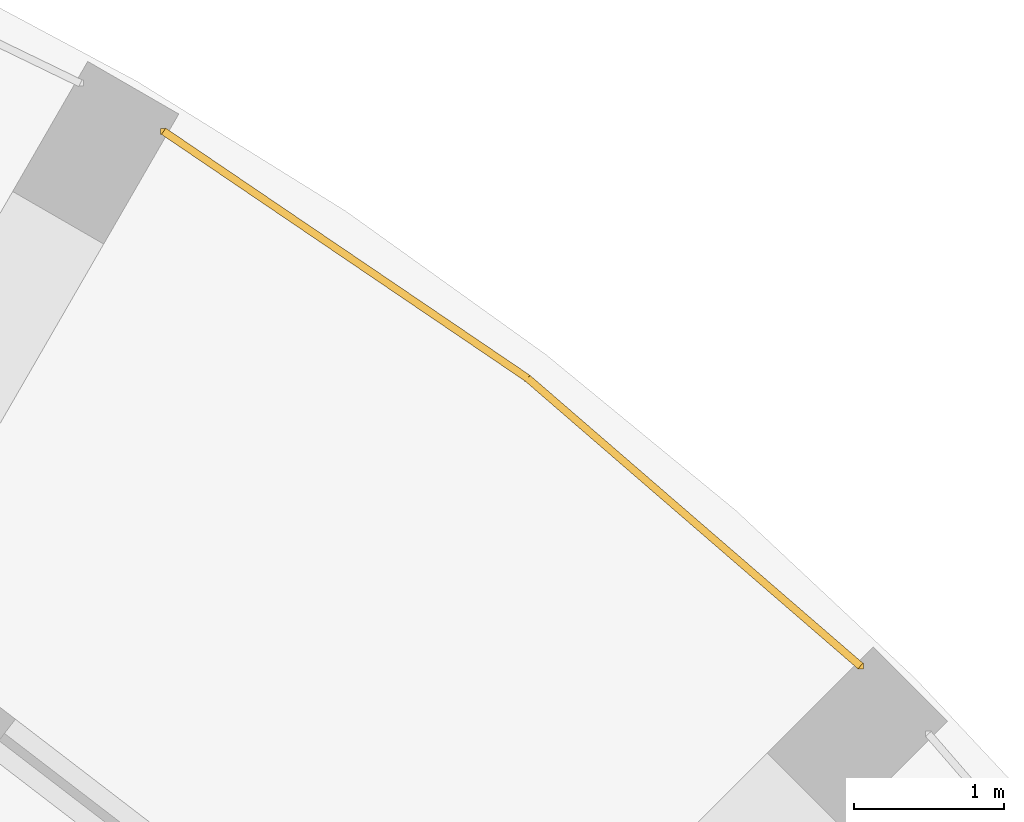
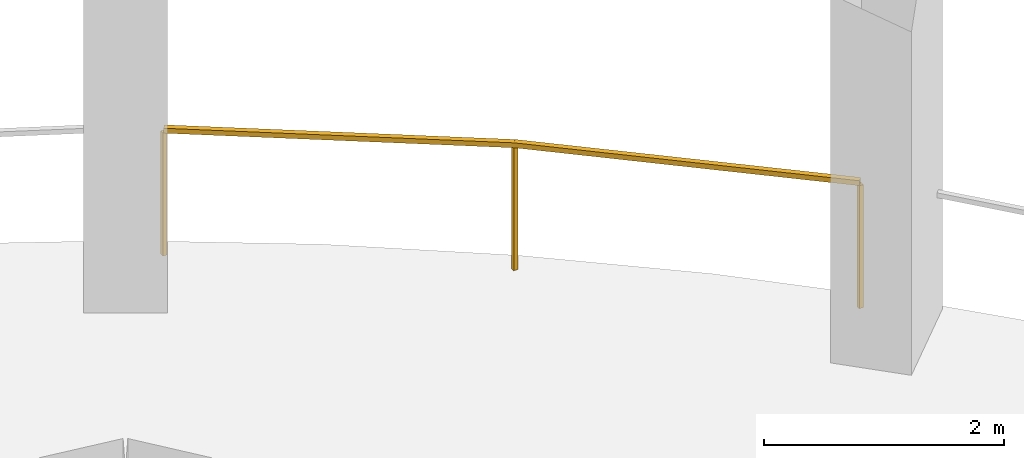
# One storey, part 8 of 8: 1 railing.
"""IFC4 building model written with IfcOpenShell, lengths in metres."""

from ifc_helpers import new_model, si_unit, direction, frame, origin, origin_2d, place, context, subcontext, project, spatial, rectangle, extrude, material, type_object, element, save


model = new_model("IFC4")

# Units and contexts
model_context = context("Model", 3, precision=1e-05, world=origin(), true_north=direction((0.0, 1.0)))
body_context = subcontext(model_context, "Body", "Model", "MODEL_VIEW")
ifc_project = project(units=[si_unit("LENGTHUNIT", "METRE"), si_unit("AREAUNIT", "SQUARE_METRE"), si_unit("VOLUMEUNIT", "CUBIC_METRE"), si_unit("PLANEANGLEUNIT", "RADIAN"), si_unit("MASSUNIT", "GRAM", prefix="KILO")], contexts=[model_context])

# Site, building, storey
site_placement = place(None, origin())
site = spatial("IfcSite", under=ifc_project, at=site_placement, CompositionType="ELEMENT")
building_placement = place(site_placement, origin())
building = spatial("IfcBuilding", under=site, at=building_placement, Name="Torre Triforio", CompositionType="ELEMENT")
storey_placement = place(building_placement, frame((0.0, 0.0, 116.199951171875)))
storey = spatial("IfcBuildingStorey", under=building, at=storey_placement, Name="L25", CompositionType="ELEMENT", Elevation=116.199951171875)

# Railing
ifc_material = material(Name="Stainless steel AISI 316", Category="steel")
railing_type = type_object("IfcRailingType", Name="Loggia guard 1300", PredefinedType="GUARDRAIL", material=ifc_material)
railing_placement = place(storey_placement, frame((17.34521484375, 17.7978515625, 0.0)))
element("IfcRailing", 1, at=railing_placement, inside=storey, type_object=railing_type, Name="Loggia guard L25 bay 04", PredefinedType="GUARDRAIL", context=body_context, shape_type="SweptSolid", body=[
    extrude(rectangle(XDim=0.050048828125, YDim=0.050048828125, at=origin_2d()), frame((0.0, 0.0, 1.27490234375), z_axis=(-0.756510170049, 0.653981928353, 0.0), x_axis=(-0.653981928353, -0.756510170049, 0.0)), (0.0, 0.0, 1.0), 2.93115234375),
    extrude(rectangle(XDim=0.050048828125, YDim=0.050048828125, at=origin_2d()), frame((-2.217529296875, 1.9169921875, 1.27490234375), z_axis=(-0.827499269821, 0.561466791934, 0.0), x_axis=(-0.561466791934, -0.827499269821, 0.0)), (0.0, 0.0, 1.0), 2.93115234375),
    extrude(rectangle(XDim=0.0400390625, YDim=0.0400390625, at=origin_2d()), origin(), (0.0, 0.0, 1.0), 1.25),
    extrude(rectangle(XDim=0.0400390625, YDim=0.0400390625, at=origin_2d()), frame((-2.217529296875, 1.9169921875, 0.0)), (0.0, 0.0, 1.0), 1.25),
    extrude(rectangle(XDim=0.0400390625, YDim=0.0400390625, at=origin_2d()), frame((-4.64306640625, 3.562744140625, 0.0)), (0.0, 0.0, 1.0), 1.25),
])

save(model, "model.ifc")
